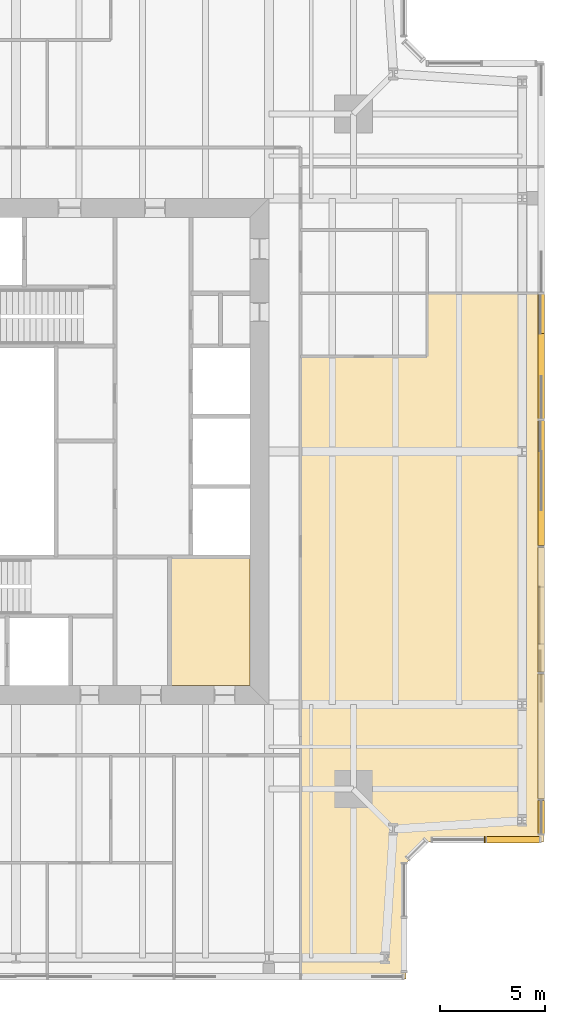
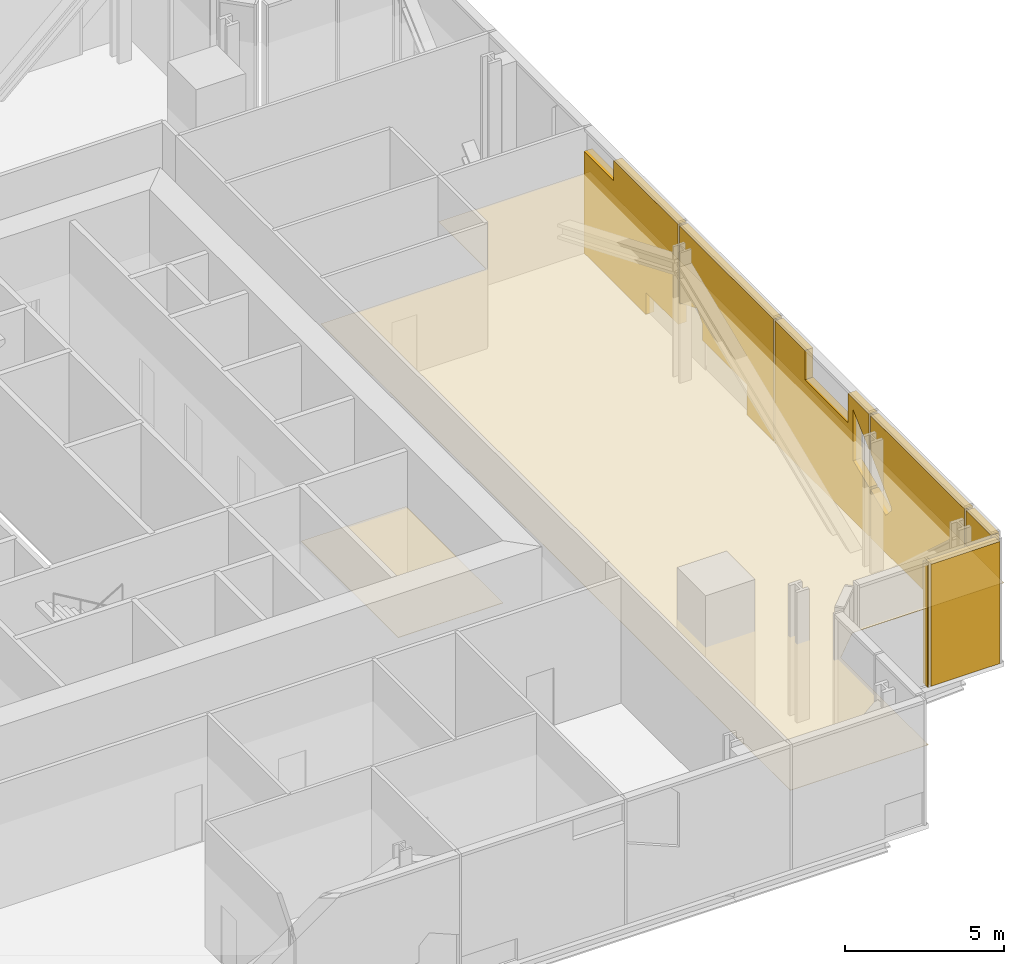
# One storey, part 13 of 15: 9 coverings.
"""IFC4 building model written with IfcOpenShell, lengths in metres."""

import ifcopenshell
import ifcopenshell.guid

model = None  # the IFC model being written
_history = None  # IfcOwnerHistory: only IFC2X3 demands one
_inside = {}  # id of a spatial element -> (the spatial element, [elements in it])
_under = {}  # id of a project, library or spatial element -> (it, [spatial elements below it])
_declared = {}  # id of a project -> (the project, [libraries it declares])
_typed = {}  # id of a type object -> (the type object, [elements of that type])
_made_of = {}  # id of a material, layer set ... -> (it, [elements and type objects made of it])


def new_model(schema):
    """Start an empty IFC model of exactly this schema.

    Asked for "IFC4X3", IfcOpenShell would pick the latest addendum, in which some entities
    have other attributes; the version numbers below select the first issue.
    IFC2X3 requires an IfcOwnerHistory on every rooted entity: one is made here for all.
    """
    global model, _history
    if schema == "IFC4X3":
        model = ifcopenshell.file(schema_version=(4, 3, 0, 0))
    else:
        model = ifcopenshell.file(schema=schema)
    _inside.clear()
    _under.clear()
    _declared.clear()
    _typed.clear()
    _made_of.clear()
    _history = None
    if model.schema == "IFC2X3":
        org = make("IfcOrganization", Name="unknown")
        user = make(
            "IfcPersonAndOrganization",
            ThePerson=make("IfcPerson", FamilyName="unknown"),
            TheOrganization=org,
        )
        app = make(
            "IfcApplication",
            ApplicationDeveloper=org,
            Version="unknown",
            ApplicationFullName="unknown",
            ApplicationIdentifier="unknown",
        )
        _history = make(
            "IfcOwnerHistory",
            OwningUser=user,
            OwningApplication=app,
            ChangeAction="ADDED",
            CreationDate=0,
        )
    return model


def make(cls, **values):
    """One entity of the class cls with the attributes given. An attribute that is None is left unset."""
    return model.create_entity(
        cls, **{name: value for name, value in values.items() if value is not None}
    )


def rooted(cls, **values):
    """An entity with a GlobalId (a new one), such as an element, a storey or a relation."""
    return make(cls, GlobalId=ifcopenshell.guid.new(), OwnerHistory=_history, **values)


def si_unit(unit_type, name, prefix=None):
    """IfcSIUnit, for example si_unit("LENGTHUNIT", "METRE", prefix="MILLI")."""
    return make("IfcSIUnit", UnitType=unit_type, Prefix=prefix, Name=name)


def assignment(units):
    """IfcUnitAssignment: the units of a project."""
    return None if units is None else make("IfcUnitAssignment", Units=units)


def point(xyz):
    """IfcCartesianPoint."""
    return None if xyz is None else make("IfcCartesianPoint", Coordinates=xyz)


def direction(xyz):
    """IfcDirection."""
    return None if xyz is None else make("IfcDirection", DirectionRatios=xyz)


def frame(location, z_axis=None, x_axis=None):
    """IfcAxis2Placement3D, a coordinate frame: its origin and axes. An axis left out is left unset."""
    return make(
        "IfcAxis2Placement3D",
        Location=point(location),
        Axis=direction(z_axis),
        RefDirection=direction(x_axis),
    )


def origin():
    """The frame at (0, 0, 0) with its axes left unset."""
    return frame((0.0, 0.0, 0.0))


def place(relative_to, where):
    """IfcLocalPlacement: puts the frame where relative to a parent placement (None: the world)."""
    return make(
        "IfcLocalPlacement", PlacementRelTo=relative_to, RelativePlacement=where
    )


def context(
    kind, dimensions, precision=None, world=None, true_north=None, identifier=None
):
    """IfcGeometricRepresentationContext, for example the 3D "Model" context."""
    return make(
        "IfcGeometricRepresentationContext",
        ContextIdentifier=identifier,
        ContextType=kind,
        CoordinateSpaceDimension=dimensions,
        Precision=precision,
        WorldCoordinateSystem=world,
        TrueNorth=true_north,
    )


def subcontext(parent, identifier, kind, view, scale=None):
    """IfcGeometricRepresentationSubContext, for example "Body" below "Model"."""
    return make(
        "IfcGeometricRepresentationSubContext",
        ContextIdentifier=identifier,
        ContextType=kind,
        ParentContext=parent,
        TargetScale=scale,
        TargetView=view,
    )


def project(units=None, contexts=None):
    """IfcProject with its units and contexts."""
    return rooted(
        "IfcProject",
        Name="project",
        RepresentationContexts=contexts,
        UnitsInContext=assignment(units),
    )


def spatial(cls, under=None, at=None, **own):
    """A site, building, storey or space (cls), placed at a placement, below another one or the project."""
    s = rooted(cls, ObjectPlacement=at, **own)
    if under is not None:
        _under.setdefault(under.id(), (under, []))[1].append(s)
    return s


def polyline(points):
    """IfcPolyline through the points."""
    return make("IfcPolyline", Points=[point(p) for p in points])


def outline(outer, holes=None, kind="AREA"):
    """IfcArbitraryClosedProfileDef: a profile drawn as a closed curve; with holes, ...WithVoids."""
    if holes is None:
        return make("IfcArbitraryClosedProfileDef", ProfileType=kind, OuterCurve=outer)
    return make(
        "IfcArbitraryProfileDefWithVoids",
        ProfileType=kind,
        OuterCurve=outer,
        InnerCurves=holes,
    )


def extrude(swept, where, along, depth):
    """IfcExtrudedAreaSolid: the profile swept, set in the frame where, extruded along a direction by depth."""
    return make(
        "IfcExtrudedAreaSolid",
        SweptArea=swept,
        Position=where,
        ExtrudedDirection=direction(along),
        Depth=depth,
    )


def shape(context_of_items, identifier, shape_type, items):
    """IfcShapeRepresentation: the items that make up one representation, for example the "Body"."""
    return make(
        "IfcShapeRepresentation",
        ContextOfItems=context_of_items,
        RepresentationIdentifier=identifier,
        RepresentationType=shape_type,
        Items=items,
    )


def material(Name=None, Category=None):
    """IfcMaterial."""
    return make("IfcMaterial", Name=Name, Category=Category)


def layer(
    of_material, thickness, ventilated=None, Name=None, Category=None, Priority=None
):
    """IfcMaterialLayer: one layer of a wall or slab, of a material (None: an air gap)."""
    return make(
        "IfcMaterialLayer",
        Material=of_material,
        LayerThickness=thickness,
        IsVentilated=ventilated,
        Name=Name,
        Category=Category,
        Priority=Priority,
    )


def layer_set(layers, Name=None):
    """IfcMaterialLayerSet."""
    return make("IfcMaterialLayerSet", MaterialLayers=layers, LayerSetName=Name)


def made_of(thing, what):
    """Note that an element or type object is made of a material, layer set ...; save() writes the relation."""
    if what is not None:
        _made_of.setdefault(what.id(), (what, []))[1].append(thing)
    return thing


def type_object(cls, material=None, **own):
    """A type object (cls), such as IfcWallType, which elements share."""
    return made_of(rooted(cls, **own), material)


def element(
    cls,
    number,
    at=None,
    inside=None,
    cuts=None,
    type_object=None,
    material=None,
    context=None,
    identifier="Body",
    shape_type=None,
    held_by="IfcProductDefinitionShape",
    body=None,
    shapes=None,
    **own,
):
    """One element of the class cls, such as IfcWall. Its Tag is "e" and its number.

    at: its placement. inside: the storey or other place that contains it. cuts: it is an
    opening in that element (IfcRelVoidsElement). A single representation is given by context,
    identifier, shape_type and body (its items); several are given by shapes. held_by: the class
    of the entity that holds the representations. save() writes the other relations.
    """
    e = rooted(cls, Tag="e%d" % number, ObjectPlacement=at, **own)
    if body is not None:
        shapes = [shape(context, identifier, shape_type, body)]
    if shapes is not None:
        e.Representation = make(held_by, Representations=shapes)
    if inside is not None:
        _inside.setdefault(inside.id(), (inside, []))[1].append(e)
    if cuts is not None:
        rooted(
            "IfcRelVoidsElement", RelatingBuildingElement=cuts, RelatedOpeningElement=e
        )
    if type_object is not None:
        _typed.setdefault(type_object.id(), (type_object, []))[1].append(e)
    return made_of(e, material)


def aggregate(whole, parts):
    """IfcRelAggregates: a whole, such as a stair, and the parts it consists of."""
    return rooted("IfcRelAggregates", RelatingObject=whole, RelatedObjects=parts)


def save(model, path):
    """Write the relations noted so far, then the file.

    IfcRelAggregates (storeys below a building ...), IfcRelContainedInSpatialStructure (elements
    in a storey), IfcRelDefinesByType, IfcRelAssociatesMaterial and IfcRelDeclares: one each for
    every whole, place, type object, material and project.
    """
    for whole, parts in _under.values():
        aggregate(whole, parts)
    for where, things in _inside.values():
        rooted(
            "IfcRelContainedInSpatialStructure",
            RelatedElements=things,
            RelatingStructure=where,
        )
    for kind, things in _typed.values():
        rooted("IfcRelDefinesByType", RelatedObjects=things, RelatingType=kind)
    for what, things in _made_of.values():
        rooted("IfcRelAssociatesMaterial", RelatedObjects=things, RelatingMaterial=what)
    for by, libraries in _declared.values():
        rooted("IfcRelDeclares", RelatingContext=by, RelatedDefinitions=libraries)
    model.write(path)


model = new_model("IFC4")

# Units and contexts
model_context = context("Model", 3, precision=1e-05, world=origin(), true_north=direction((0.0, 1.0)))
body_context = subcontext(model_context, "Body", "Model", "MODEL_VIEW")
ifc_project = project(units=[si_unit("LENGTHUNIT", "METRE"), si_unit("AREAUNIT", "SQUARE_METRE"), si_unit("VOLUMEUNIT", "CUBIC_METRE"), si_unit("PLANEANGLEUNIT", "RADIAN"), si_unit("MASSUNIT", "GRAM", prefix="KILO")], contexts=[model_context])

# Site, building, storey
site_placement = place(None, origin())
site = spatial("IfcSite", under=ifc_project, at=site_placement, CompositionType="ELEMENT")
building_placement = place(site_placement, origin())
building = spatial("IfcBuilding", under=site, at=building_placement, Name="Fenwick Lantern Interchange", CompositionType="ELEMENT")
storey_placement = place(building_placement, frame((0.0, 0.0, 296.800048828125)))
storey = spatial("IfcBuildingStorey", under=building, at=storey_placement, Name="L72", CompositionType="ELEMENT", Elevation=296.800048828125)

# Coverings
ifc_material_1 = material(Name="Granite cladding, warm grey flamed finish, on aluminium carrier frame", Category="masonry")
ifc_layer_1 = layer(ifc_material_1, 0.300048828125)
ifc_layer_set_1 = layer_set([ifc_layer_1], Name="BRACE CASING PANEL 300")
covering_type_1 = type_object("IfcCoveringType", Name="BRACE CASING PANEL 300", PredefinedType="CLADDING", material=ifc_layer_set_1)
covering_1_placement = place(storey_placement, frame((44.45849609375, 6.60009765625, 0.0), z_axis=(0.0, 0.0, 1.0), x_axis=(1.0, 0.0, 0.0)))
element("IfcCovering", 1, at=covering_1_placement, inside=storey, type_object=covering_type_1, Name="Brace casing 04 bay 00a", PredefinedType="CLADDING", context=body_context, shape_type="SweptSolid", body=[
    extrude(outline(polyline([(2.741455078125, 0.0), (2.78076171875, 0.0), (2.78076171875, 4.679931640625), (2.741455078125, 4.679931640625), (2.741455078125, 0.0)])), frame((0.0, 0.14990234375, 0.0), z_axis=(0.0, -1.0, 0.0), x_axis=(1.0, 0.0, 0.0)), (0.0, 0.0, 1.0), 0.300048828125),
])
covering_2_placement = place(storey_placement, frame((44.45849609375, 6.60009765625, 0.0), z_axis=(0.0, 0.0, 1.0), x_axis=(1.0, 0.0, 0.0)))
element("IfcCovering", 2, at=covering_2_placement, inside=storey, type_object=covering_type_1, Name="Brace casing 04 bay 01a", PredefinedType="CLADDING", context=body_context, shape_type="SweptSolid", body=[
    extrude(outline(polyline([(2.860595703125, 0.0), (5.361328125, 0.0), (5.361328125, 4.679931640625), (2.860595703125, 4.679931640625), (2.860595703125, 0.0)])), frame((0.0, 0.14990234375, 0.0), z_axis=(0.0, -1.0, 0.0), x_axis=(1.0, 0.0, 0.0)), (0.0, 0.0, 1.0), 0.300048828125),
])
covering_3_placement = place(storey_placement, frame((49.89990234375, 6.60009765625, 0.9736328125), z_axis=(0.0, 0.0, 1.0), x_axis=(0.0, 1.0, 0.0)))
element("IfcCovering", 3, at=covering_3_placement, inside=storey, type_object=covering_type_1, Name="Brace casing 05 bay 00a", PredefinedType="CLADDING", context=body_context, shape_type="SweptSolid", body=[
    extrude(outline(polyline([(1.860107421875, 0.0), (1.860107421875, 3.706298828125), (0.280029296875, 3.706298828125), (0.280029296875, 1.436279296875), (1.860107421875, 0.0)])), frame((0.0, 0.14990234375, 0.0), z_axis=(0.0, -1.0, 0.0), x_axis=(1.0, 0.0, 0.0)), (0.0, 0.0, 1.0), 0.300048828125),
])
covering_4_placement = place(storey_placement, frame((49.89990234375, 6.60009765625, 0.0), z_axis=(0.0, 0.0, 1.0), x_axis=(0.0, 1.0, 0.0)))
element("IfcCovering", 4, at=covering_4_placement, inside=storey, type_object=covering_type_1, Name="Brace casing 05 bay 01a", PredefinedType="CLADDING", context=body_context, shape_type="SweptSolid", body=[
    extrude(outline(polyline([(1.93994140625, 0.0), (7.860107421875, 0.0), (7.860107421875, 1.837158203125), (6.891845703125, 1.433837890625), (6.548095703125, 1.8203125), (6.548095703125, 1.952392578125), (7.64501953125, 3.049560546875), (7.860107421875, 3.24658203125), (7.860107421875, 4.679931640625), (1.93994140625, 4.679931640625), (1.93994140625, 0.0)])), frame((0.0, 0.14990234375, 0.0), z_axis=(0.0, -1.0, 0.0), x_axis=(1.0, 0.0, 0.0)), (0.0, 0.0, 1.0), 0.300048828125),
])
covering_5_placement = place(storey_placement, frame((49.89990234375, 6.60009765625, 0.0), z_axis=(0.0, 0.0, 1.0), x_axis=(0.0, 1.0, 0.0)))
element("IfcCovering", 5, at=covering_5_placement, inside=storey, type_object=covering_type_1, Name="Brace casing 05 bay 02a", PredefinedType="CLADDING", context=body_context, shape_type="SweptSolid", body=[
    extrude(outline(polyline([(7.93994140625, 0.0), (13.860107421875, 0.0), (13.860107421875, 4.679931640625), (11.978271484375, 4.679931640625), (11.978271484375, 3.55322265625), (9.278076171875, 3.55322265625), (9.278076171875, 4.679931640625), (7.93994140625, 4.679931640625), (7.93994140625, 3.31982421875), (8.943115234375, 4.239501953125), (8.943115234375, 2.28857421875), (7.93994140625, 1.87060546875), (7.93994140625, 0.0)])), frame((0.0, 0.14990234375, 0.0), z_axis=(0.0, -1.0, 0.0), x_axis=(1.0, 0.0, 0.0)), (0.0, 0.0, 1.0), 0.300048828125),
])
covering_6_placement = place(storey_placement, frame((49.89990234375, 6.60009765625, 0.0), z_axis=(0.0, 0.0, 1.0), x_axis=(0.0, 1.0, 0.0)))
element("IfcCovering", 6, at=covering_6_placement, inside=storey, type_object=covering_type_1, Name="Brace casing 05 bay 03a", PredefinedType="CLADDING", context=body_context, shape_type="SweptSolid", body=[
    extrude(outline(polyline([(13.93994140625, 0.0), (15.60498046875, 0.0), (15.60498046875, 1.164306640625), (18.39990234375, 1.164306640625), (18.39990234375, 1.804443359375), (18.770263671875, 2.174560546875), (19.860107421875, 1.720703125), (19.860107421875, 4.679931640625), (13.93994140625, 4.679931640625), (13.93994140625, 0.0)])), frame((0.0, 0.14990234375, 0.0), z_axis=(0.0, -1.0, 0.0), x_axis=(1.0, 0.0, 0.0)), (0.0, 0.0, 1.0), 0.300048828125),
])
covering_7_placement = place(storey_placement, frame((49.89990234375, 6.60009765625, 0.0), z_axis=(0.0, 0.0, 1.0), x_axis=(0.0, 1.0, 0.0)))
element("IfcCovering", 7, at=covering_7_placement, inside=storey, type_object=covering_type_1, Name="Brace casing 05 bay 04a", PredefinedType="CLADDING", context=body_context, shape_type="SweptSolid", body=[
    extrude(outline(polyline([(21.965087890625, 0.0), (25.860107421875, 0.0), (25.860107421875, 3.90087890625), (23.987548828125, 3.90087890625), (23.987548828125, 4.679931640625), (19.93994140625, 4.679931640625), (19.93994140625, 0.843505859375), (21.965087890625, 0.843505859375), (21.965087890625, 0.0)])), frame((0.0, 0.14990234375, 0.0), z_axis=(0.0, -1.0, 0.0), x_axis=(1.0, 0.0, 0.0)), (0.0, 0.0, 1.0), 0.300048828125),
])
ifc_material_2 = material(Name="Moisture resistant gypsum board on suspended frame, painted")
ifc_layer_2 = layer(ifc_material_2, 0.014892578125)
ifc_layer_set_2 = layer_set([ifc_layer_2], Name="MOISTURE RESISTANT CEILING 15")
covering_type_2 = type_object("IfcCoveringType", Name="MOISTURE RESISTANT CEILING 15", PredefinedType="CEILING", material=ifc_layer_set_2)
covering_8_placement = place(storey_placement, frame((0.0, 0.0, 2.599853515625)))
element("IfcCovering", 8, at=covering_8_placement, inside=storey, type_object=covering_type_2, Name="Women's WC ceiling", PredefinedType="CEILING", context=body_context, shape_type="SweptSolid", body=[
    extrude(outline(polyline([(32.300048828125, 13.89990234375), (36.10009765625, 13.89990234375), (36.10009765625, 20.0), (32.300048828125, 20.0), (32.300048828125, 13.89990234375)])), origin(), (0.0, 0.0, 1.0), 0.01513671875),
])
covering_9_placement = place(storey_placement, frame((0.0, 0.0, 3.0)))
element("IfcCovering", 9, at=covering_9_placement, inside=storey, type_object=covering_type_2, Name="Hotel kitchen ceiling", PredefinedType="CEILING", context=body_context, shape_type="SweptSolid", body=[
    extrude(outline(polyline([(44.5, 32.5), (44.5, 29.5), (38.5, 29.5), (38.5, 0.0), (43.5, 0.0), (43.5, 5.5), (44.5, 6.5), (50.0, 6.5), (50.0, 32.5), (44.5, 32.5)])), origin(), (0.0, 0.0, 1.0), 0.014892578125),
])

save(model, "model.ifc")
